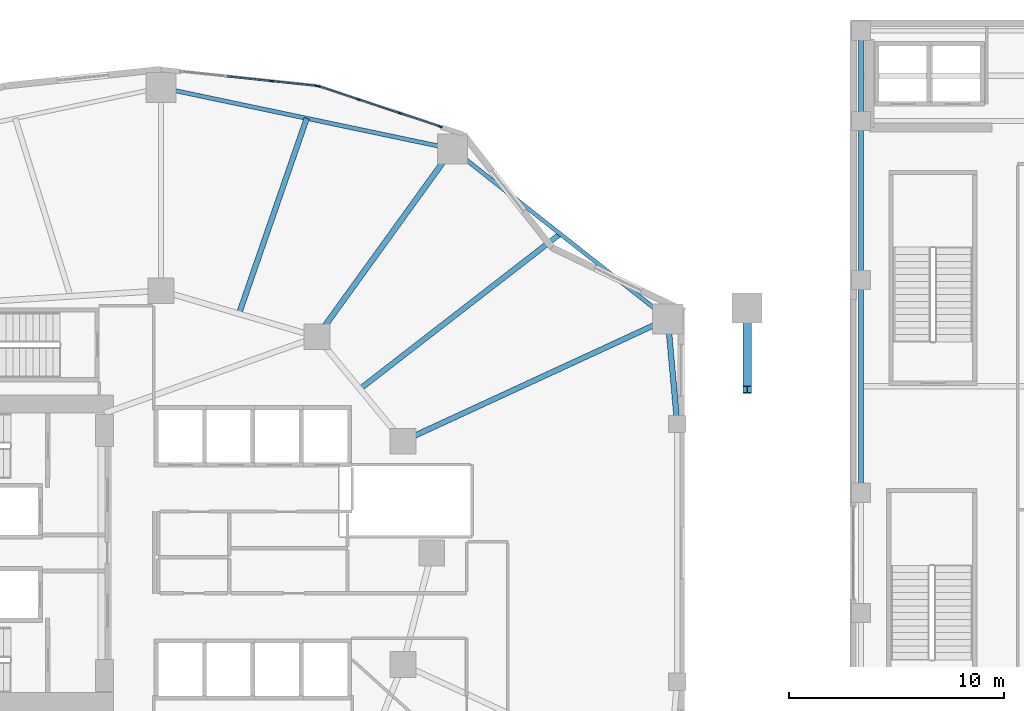
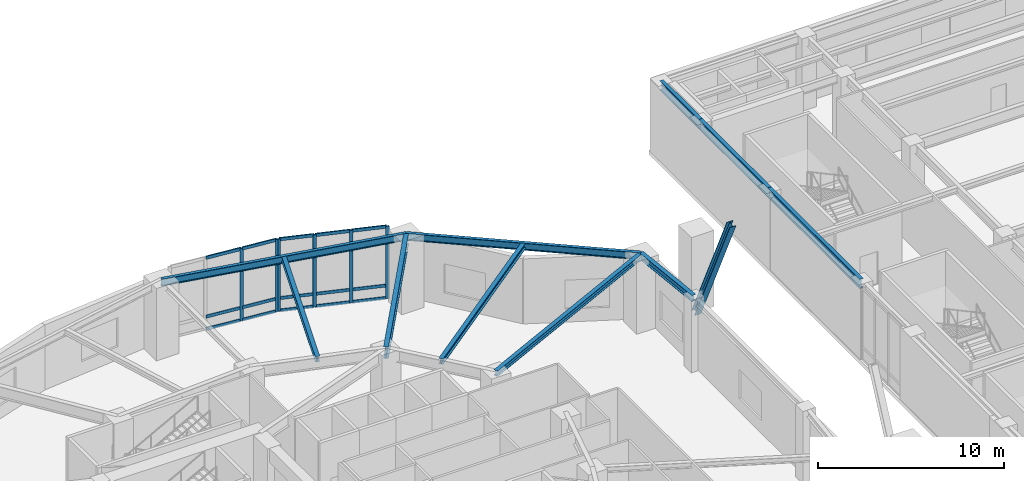
# One storey, part 6 of 21: 22 members, 10 beams, 2 elements without a shape of their own.
"""IFC4 building model written with IfcOpenShell, lengths in metres."""

import ifcopenshell
import ifcopenshell.guid

model = None  # the IFC model being written
_history = None  # IfcOwnerHistory: only IFC2X3 demands one
_inside = {}  # id of a spatial element -> (the spatial element, [elements in it])
_under = {}  # id of a project, library or spatial element -> (it, [spatial elements below it])
_declared = {}  # id of a project -> (the project, [libraries it declares])
_typed = {}  # id of a type object -> (the type object, [elements of that type])
_made_of = {}  # id of a material, layer set ... -> (it, [elements and type objects made of it])


def new_model(schema):
    """Start an empty IFC model of exactly this schema.

    Asked for "IFC4X3", IfcOpenShell would pick the latest addendum, in which some entities
    have other attributes; the version numbers below select the first issue.
    IFC2X3 requires an IfcOwnerHistory on every rooted entity: one is made here for all.
    """
    global model, _history
    if schema == "IFC4X3":
        model = ifcopenshell.file(schema_version=(4, 3, 0, 0))
    else:
        model = ifcopenshell.file(schema=schema)
    _inside.clear()
    _under.clear()
    _declared.clear()
    _typed.clear()
    _made_of.clear()
    _history = None
    if model.schema == "IFC2X3":
        org = make("IfcOrganization", Name="unknown")
        user = make(
            "IfcPersonAndOrganization",
            ThePerson=make("IfcPerson", FamilyName="unknown"),
            TheOrganization=org,
        )
        app = make(
            "IfcApplication",
            ApplicationDeveloper=org,
            Version="unknown",
            ApplicationFullName="unknown",
            ApplicationIdentifier="unknown",
        )
        _history = make(
            "IfcOwnerHistory",
            OwningUser=user,
            OwningApplication=app,
            ChangeAction="ADDED",
            CreationDate=0,
        )
    return model


def make(cls, **values):
    """One entity of the class cls with the attributes given. An attribute that is None is left unset."""
    return model.create_entity(
        cls, **{name: value for name, value in values.items() if value is not None}
    )


def rooted(cls, **values):
    """An entity with a GlobalId (a new one), such as an element, a storey or a relation."""
    return make(cls, GlobalId=ifcopenshell.guid.new(), OwnerHistory=_history, **values)


def si_unit(unit_type, name, prefix=None):
    """IfcSIUnit, for example si_unit("LENGTHUNIT", "METRE", prefix="MILLI")."""
    return make("IfcSIUnit", UnitType=unit_type, Prefix=prefix, Name=name)


def assignment(units):
    """IfcUnitAssignment: the units of a project."""
    return None if units is None else make("IfcUnitAssignment", Units=units)


def point(xyz):
    """IfcCartesianPoint."""
    return None if xyz is None else make("IfcCartesianPoint", Coordinates=xyz)


def direction(xyz):
    """IfcDirection."""
    return None if xyz is None else make("IfcDirection", DirectionRatios=xyz)


def frame(location, z_axis=None, x_axis=None):
    """IfcAxis2Placement3D, a coordinate frame: its origin and axes. An axis left out is left unset."""
    return make(
        "IfcAxis2Placement3D",
        Location=point(location),
        Axis=direction(z_axis),
        RefDirection=direction(x_axis),
    )


def frame_2d(location, x_axis=None):
    """IfcAxis2Placement2D, a coordinate frame in the plane: its origin and x axis."""
    return make(
        "IfcAxis2Placement2D", Location=point(location), RefDirection=direction(x_axis)
    )


def origin():
    """The frame at (0, 0, 0) with its axes left unset."""
    return frame((0.0, 0.0, 0.0))


def origin_2d():
    """The frame at (0, 0) in the plane with its x axis left unset."""
    return frame_2d((0.0, 0.0))


def place(relative_to, where):
    """IfcLocalPlacement: puts the frame where relative to a parent placement (None: the world)."""
    return make(
        "IfcLocalPlacement", PlacementRelTo=relative_to, RelativePlacement=where
    )


def context(
    kind, dimensions, precision=None, world=None, true_north=None, identifier=None
):
    """IfcGeometricRepresentationContext, for example the 3D "Model" context."""
    return make(
        "IfcGeometricRepresentationContext",
        ContextIdentifier=identifier,
        ContextType=kind,
        CoordinateSpaceDimension=dimensions,
        Precision=precision,
        WorldCoordinateSystem=world,
        TrueNorth=true_north,
    )


def subcontext(parent, identifier, kind, view, scale=None):
    """IfcGeometricRepresentationSubContext, for example "Body" below "Model"."""
    return make(
        "IfcGeometricRepresentationSubContext",
        ContextIdentifier=identifier,
        ContextType=kind,
        ParentContext=parent,
        TargetScale=scale,
        TargetView=view,
    )


def project(units=None, contexts=None):
    """IfcProject with its units and contexts."""
    return rooted(
        "IfcProject",
        Name="project",
        RepresentationContexts=contexts,
        UnitsInContext=assignment(units),
    )


def spatial(cls, under=None, at=None, **own):
    """A site, building, storey or space (cls), placed at a placement, below another one or the project."""
    s = rooted(cls, ObjectPlacement=at, **own)
    if under is not None:
        _under.setdefault(under.id(), (under, []))[1].append(s)
    return s


def profile(cls, at=None, kind="AREA", **sizes):
    """A parametric profile (cls). Its sizes go by their IFC names, for example OverallWidth=200.0."""
    return make(cls, ProfileType=kind, Position=at, **sizes)


def rectangle(**sizes):
    """IfcRectangleProfileDef."""
    return profile("IfcRectangleProfileDef", **sizes)


def i_section(**sizes):
    """IfcIShapeProfileDef."""
    return profile("IfcIShapeProfileDef", **sizes)


def extrude(swept, where, along, depth):
    """IfcExtrudedAreaSolid: the profile swept, set in the frame where, extruded along a direction by depth."""
    return make(
        "IfcExtrudedAreaSolid",
        SweptArea=swept,
        Position=where,
        ExtrudedDirection=direction(along),
        Depth=depth,
    )


def shape(context_of_items, identifier, shape_type, items):
    """IfcShapeRepresentation: the items that make up one representation, for example the "Body"."""
    return make(
        "IfcShapeRepresentation",
        ContextOfItems=context_of_items,
        RepresentationIdentifier=identifier,
        RepresentationType=shape_type,
        Items=items,
    )


def material(Name=None, Category=None):
    """IfcMaterial."""
    return make("IfcMaterial", Name=Name, Category=Category)


def layer(
    of_material, thickness, ventilated=None, Name=None, Category=None, Priority=None
):
    """IfcMaterialLayer: one layer of a wall or slab, of a material (None: an air gap)."""
    return make(
        "IfcMaterialLayer",
        Material=of_material,
        LayerThickness=thickness,
        IsVentilated=ventilated,
        Name=Name,
        Category=Category,
        Priority=Priority,
    )


def layer_set(layers, Name=None):
    """IfcMaterialLayerSet."""
    return make("IfcMaterialLayerSet", MaterialLayers=layers, LayerSetName=Name)


def material_profile(
    of_material, cross_section, Name=None, Category=None, Priority=None
):
    """IfcMaterialProfile: a cross section and its material."""
    return make(
        "IfcMaterialProfile",
        Name=Name,
        Material=of_material,
        Profile=cross_section,
        Priority=Priority,
        Category=Category,
    )


def profile_set(profiles, Name=None, composite=None):
    """IfcMaterialProfileSet."""
    return make(
        "IfcMaterialProfileSet",
        Name=Name,
        MaterialProfiles=profiles,
        CompositeProfile=composite,
    )


def made_of(thing, what):
    """Note that an element or type object is made of a material, layer set ...; save() writes the relation."""
    if what is not None:
        _made_of.setdefault(what.id(), (what, []))[1].append(thing)
    return thing


def type_object(cls, material=None, **own):
    """A type object (cls), such as IfcWallType, which elements share."""
    return made_of(rooted(cls, **own), material)


def element(
    cls,
    number,
    at=None,
    inside=None,
    cuts=None,
    type_object=None,
    material=None,
    context=None,
    identifier="Body",
    shape_type=None,
    held_by="IfcProductDefinitionShape",
    body=None,
    shapes=None,
    **own,
):
    """One element of the class cls, such as IfcWall. Its Tag is "e" and its number.

    at: its placement. inside: the storey or other place that contains it. cuts: it is an
    opening in that element (IfcRelVoidsElement). A single representation is given by context,
    identifier, shape_type and body (its items); several are given by shapes. held_by: the class
    of the entity that holds the representations. save() writes the other relations.
    """
    e = rooted(cls, Tag="e%d" % number, ObjectPlacement=at, **own)
    if body is not None:
        shapes = [shape(context, identifier, shape_type, body)]
    if shapes is not None:
        e.Representation = make(held_by, Representations=shapes)
    if inside is not None:
        _inside.setdefault(inside.id(), (inside, []))[1].append(e)
    if cuts is not None:
        rooted(
            "IfcRelVoidsElement", RelatingBuildingElement=cuts, RelatedOpeningElement=e
        )
    if type_object is not None:
        _typed.setdefault(type_object.id(), (type_object, []))[1].append(e)
    return made_of(e, material)


def aggregate(whole, parts):
    """IfcRelAggregates: a whole, such as a stair, and the parts it consists of."""
    return rooted("IfcRelAggregates", RelatingObject=whole, RelatedObjects=parts)


def save(model, path):
    """Write the relations noted so far, then the file.

    IfcRelAggregates (storeys below a building ...), IfcRelContainedInSpatialStructure (elements
    in a storey), IfcRelDefinesByType, IfcRelAssociatesMaterial and IfcRelDeclares: one each for
    every whole, place, type object, material and project.
    """
    for whole, parts in _under.values():
        aggregate(whole, parts)
    for where, things in _inside.values():
        rooted(
            "IfcRelContainedInSpatialStructure",
            RelatedElements=things,
            RelatingStructure=where,
        )
    for kind, things in _typed.values():
        rooted("IfcRelDefinesByType", RelatedObjects=things, RelatingType=kind)
    for what, things in _made_of.values():
        rooted("IfcRelAssociatesMaterial", RelatedObjects=things, RelatingMaterial=what)
    for by, libraries in _declared.values():
        rooted("IfcRelDeclares", RelatingContext=by, RelatedDefinitions=libraries)
    model.write(path)


model = new_model("IFC4")

# Units and contexts
model_context = context("Model", 3, precision=1e-05, world=origin(), true_north=direction((0.0, 1.0)))
body_context = subcontext(model_context, "Body", "Model", "MODEL_VIEW")
ifc_project = project(units=[si_unit("LENGTHUNIT", "METRE"), si_unit("AREAUNIT", "SQUARE_METRE"), si_unit("VOLUMEUNIT", "CUBIC_METRE"), si_unit("PLANEANGLEUNIT", "RADIAN"), si_unit("MASSUNIT", "GRAM", prefix="KILO")], contexts=[model_context])

# Site, building, storey
site_placement = place(None, origin())
site = spatial("IfcSite", under=ifc_project, at=site_placement, CompositionType="ELEMENT")
building_placement = place(site_placement, origin())
building = spatial("IfcBuilding", under=site, at=building_placement, Name="Kolvaren Gate Tower and Convention Centre", CompositionType="ELEMENT")
storey_placement = place(building_placement, frame((0.0, 0.0, 5.0)))
storey = spatial("IfcBuildingStorey", under=building, at=storey_placement, Name="L01", CompositionType="ELEMENT", Elevation=5.0)

# Curtain wall, members
ifc_material_1 = material(Name="Anodized Architectural Aluminium Alloy 6063-T6", Category="aluminium")
ifc_layer = layer(ifc_material_1, 0.179931640625)
ifc_layer_set = layer_set([ifc_layer], Name="Anodized Architectural Aluminium Alloy 6063-T6")
curtain_wall_type = type_object("IfcCurtainWallType", Name="CW-POD-GLZ", PredefinedType="NOTDEFINED", material=ifc_layer_set)
curtain_wall_1_placement = place(storey_placement, origin())
curtain_wall_1 = element("IfcCurtainWall", 1, at=curtain_wall_1_placement, inside=storey, type_object=curtain_wall_type, Name="Tower L01 Unitised Curtain Wall CW-POD-GLZ Bay 04", PredefinedType="NOTDEFINED")
ifc_material_profile_1 = material_profile(ifc_material_1, rectangle(XDim=0.074951171875, YDim=0.199951171875, at=origin_2d()), Name="CW-MEM-MUL-200")
ifc_profile_set_1 = profile_set([ifc_material_profile_1], Name="Anodized Architectural Aluminium Alloy 6063-T6")
member_type_1 = type_object("IfcMemberType", Name="CW-MEM-MUL-200", PredefinedType="MULLION", material=ifc_profile_set_1)
member_1_placement = place(storey_placement, frame((37.43994140625, 48.721435546875, 0.0), z_axis=(0.0, 0.0, 1.0), x_axis=(0.314541602786, 0.949243688479, 0.0)))
member_1 = element("IfcMember", 2, at=member_1_placement, type_object=member_type_1, Name="CW-01 mullion 1", PredefinedType="MULLION", context=body_context, shape_type="SweptSolid", body=[
    extrude(rectangle(XDim=0.074951171875, YDim=0.199951171875, at=origin_2d()), origin(), (0.0, 0.0, 1.0), 4.739990234375),
])
member_2_placement = place(storey_placement, frame((39.31884765625, 48.098876953125, 0.0), z_axis=(0.0, 0.0, 1.0), x_axis=(0.314541602786, 0.949243688479, 0.0)))
member_2 = element("IfcMember", 3, at=member_2_placement, type_object=member_type_1, Name="CW-01 mullion 2", PredefinedType="MULLION", context=body_context, shape_type="SweptSolid", body=[
    extrude(rectangle(XDim=0.074951171875, YDim=0.199951171875, at=origin_2d()), origin(), (0.0, 0.0, 1.0), 4.739990234375),
])
member_3_placement = place(storey_placement, frame((41.233642578125, 47.46435546875, 0.0), z_axis=(0.0, 0.0, 1.0), x_axis=(0.314541602786, 0.949243688479, 0.0)))
member_3 = element("IfcMember", 4, at=member_3_placement, type_object=member_type_1, Name="CW-01 mullion 3", PredefinedType="MULLION", context=body_context, shape_type="SweptSolid", body=[
    extrude(rectangle(XDim=0.074951171875, YDim=0.199951171875, at=origin_2d()), origin(), (0.0, 0.0, 1.0), 4.739990234375),
])
member_4_placement = place(storey_placement, frame((43.112548828125, 46.841796875, 0.0), z_axis=(0.0, 0.0, 1.0), x_axis=(0.314541602786, 0.949243688479, 0.0)))
member_4 = element("IfcMember", 5, at=member_4_placement, type_object=member_type_1, Name="CW-01 mullion 4", PredefinedType="MULLION", context=body_context, shape_type="SweptSolid", body=[
    extrude(rectangle(XDim=0.074951171875, YDim=0.199951171875, at=origin_2d()), origin(), (0.0, 0.0, 1.0), 4.739990234375),
])

curtain_wall_2_placement = place(storey_placement, origin())
curtain_wall_2 = element("IfcCurtainWall", 6, at=curtain_wall_2_placement, inside=storey, type_object=curtain_wall_type, Name="Tower L01 Unitised Curtain Wall CW-POD-GLZ Bay 05", PredefinedType="NOTDEFINED")
member_5_placement = place(storey_placement, frame((35.285888671875, 48.95654296875, 0.0), z_axis=(0.0, 0.0, 1.0), x_axis=(0.104748319841, 0.994498762941, 0.0)))
member_5 = element("IfcMember", 7, at=member_5_placement, type_object=member_type_1, Name="CW-01 mullion 3", PredefinedType="MULLION", context=body_context, shape_type="SweptSolid", body=[
    extrude(rectangle(XDim=0.074951171875, YDim=0.199951171875, at=origin_2d()), origin(), (0.0, 0.0, 1.0), 4.739990234375),
])
member_6_placement = place(storey_placement, frame((37.366943359375, 48.7373046875, 0.0), z_axis=(0.0, 0.0, 1.0), x_axis=(0.104748319841, 0.994498762941, 0.0)))
member_6 = element("IfcMember", 8, at=member_6_placement, type_object=member_type_1, Name="CW-01 mullion 4", PredefinedType="MULLION", context=body_context, shape_type="SweptSolid", body=[
    extrude(rectangle(XDim=0.074951171875, YDim=0.199951171875, at=origin_2d()), origin(), (0.0, 0.0, 1.0), 4.739990234375),
])

# Member
ifc_material_profile_2 = material_profile(ifc_material_1, rectangle(XDim=0.074951171875, YDim=0.199951171875, at=origin_2d()), Name="CW-MEM-TRN-200")
ifc_profile_set_2 = profile_set([ifc_material_profile_2], Name="Anodized Architectural Aluminium Alloy 6063-T6")
member_type_2 = type_object("IfcMemberType", Name="CW-MEM-TRN-200", PredefinedType="USERDEFINED", material=ifc_profile_set_2)
member_7_placement = place(storey_placement, frame((37.4755859375, 48.709716796875, 0.03759765625), z_axis=(0.949233065789, -0.314573658804, 0.0), x_axis=(0.314573658804, 0.949233065789, 0.0)))
member_7 = element("IfcMember", 9, at=member_7_placement, type_object=member_type_2, Name="CW-01 transom 1.1", ObjectType="TRANSOM", PredefinedType="USERDEFINED", context=body_context, shape_type="SweptSolid", body=[
    extrude(rectangle(XDim=0.074951171875, YDim=0.199951171875, at=origin_2d()), origin(), (0.0, 0.0, 1.0), 1.904541015625),
])

member_8_placement = place(storey_placement, frame((37.4755859375, 48.709716796875, 0.85009765625), z_axis=(0.949233065789, -0.314573658804, 0.0), x_axis=(0.314573658804, 0.949233065789, 0.0)))
member_8 = element("IfcMember", 10, at=member_8_placement, type_object=member_type_2, Name="CW-01 transom 1.2", ObjectType="TRANSOM", PredefinedType="USERDEFINED", context=body_context, shape_type="SweptSolid", body=[
    extrude(rectangle(XDim=0.074951171875, YDim=0.199951171875, at=origin_2d()), origin(), (0.0, 0.0, 1.0), 1.904541015625),
])

member_9_placement = place(storey_placement, frame((37.4755859375, 48.709716796875, 4.702392578125), z_axis=(0.949233065789, -0.314573658804, 0.0), x_axis=(0.314573658804, 0.949233065789, 0.0)))
member_9 = element("IfcMember", 11, at=member_9_placement, type_object=member_type_2, Name="CW-01 transom 1.3", ObjectType="TRANSOM", PredefinedType="USERDEFINED", context=body_context, shape_type="SweptSolid", body=[
    extrude(rectangle(XDim=0.074951171875, YDim=0.199951171875, at=origin_2d()), origin(), (0.0, 0.0, 1.0), 1.904541015625),
])

member_10_placement = place(storey_placement, frame((39.3544921875, 48.087158203125, 0.03759765625), z_axis=(0.949247481786, -0.314530154871, 0.0), x_axis=(0.314530154871, 0.949247481786, 0.0)))
member_10 = element("IfcMember", 12, at=member_10_placement, type_object=member_type_2, Name="CW-01 transom 2.1", ObjectType="TRANSOM", PredefinedType="USERDEFINED", context=body_context, shape_type="SweptSolid", body=[
    extrude(rectangle(XDim=0.074951171875, YDim=0.199951171875, at=origin_2d()), origin(), (0.0, 0.0, 1.0), 1.942138671875),
])

member_11_placement = place(storey_placement, frame((39.3544921875, 48.087158203125, 0.85009765625), z_axis=(0.949247481786, -0.314530154871, 0.0), x_axis=(0.314530154871, 0.949247481786, 0.0)))
member_11 = element("IfcMember", 13, at=member_11_placement, type_object=member_type_2, Name="CW-01 transom 2.2", ObjectType="TRANSOM", PredefinedType="USERDEFINED", context=body_context, shape_type="SweptSolid", body=[
    extrude(rectangle(XDim=0.074951171875, YDim=0.199951171875, at=origin_2d()), origin(), (0.0, 0.0, 1.0), 1.942138671875),
])

member_12_placement = place(storey_placement, frame((39.3544921875, 48.087158203125, 4.702392578125), z_axis=(0.949247481786, -0.314530154871, 0.0), x_axis=(0.314530154871, 0.949247481786, 0.0)))
member_12 = element("IfcMember", 14, at=member_12_placement, type_object=member_type_2, Name="CW-01 transom 2.3", ObjectType="TRANSOM", PredefinedType="USERDEFINED", context=body_context, shape_type="SweptSolid", body=[
    extrude(rectangle(XDim=0.074951171875, YDim=0.199951171875, at=origin_2d()), origin(), (0.0, 0.0, 1.0), 1.942138671875),
])

member_13_placement = place(storey_placement, frame((41.26904296875, 47.45263671875, 0.03759765625), z_axis=(0.949233065789, -0.314573658804, 0.0), x_axis=(0.314573658804, 0.949233065789, 0.0)))
member_13 = element("IfcMember", 15, at=member_13_placement, type_object=member_type_2, Name="CW-01 transom 3.1", ObjectType="TRANSOM", PredefinedType="USERDEFINED", context=body_context, shape_type="SweptSolid", body=[
    extrude(rectangle(XDim=0.074951171875, YDim=0.199951171875, at=origin_2d()), origin(), (0.0, 0.0, 1.0), 1.904541015625),
])

member_14_placement = place(storey_placement, frame((41.26904296875, 47.45263671875, 0.85009765625), z_axis=(0.949233065789, -0.314573658804, 0.0), x_axis=(0.314573658804, 0.949233065789, 0.0)))
member_14 = element("IfcMember", 16, at=member_14_placement, type_object=member_type_2, Name="CW-01 transom 3.2", ObjectType="TRANSOM", PredefinedType="USERDEFINED", context=body_context, shape_type="SweptSolid", body=[
    extrude(rectangle(XDim=0.074951171875, YDim=0.199951171875, at=origin_2d()), origin(), (0.0, 0.0, 1.0), 1.904541015625),
])

member_15_placement = place(storey_placement, frame((41.26904296875, 47.45263671875, 4.702392578125), z_axis=(0.949233065789, -0.314573658804, 0.0), x_axis=(0.314573658804, 0.949233065789, 0.0)))
member_15 = element("IfcMember", 17, at=member_15_placement, type_object=member_type_2, Name="CW-01 transom 3.3", ObjectType="TRANSOM", PredefinedType="USERDEFINED", context=body_context, shape_type="SweptSolid", body=[
    extrude(rectangle(XDim=0.074951171875, YDim=0.199951171875, at=origin_2d()), origin(), (0.0, 0.0, 1.0), 1.904541015625),
])

aggregate(curtain_wall_1, [member_1, member_2, member_3, member_4, member_7, member_8, member_9, member_10, member_11, member_12, member_13, member_14, member_15])

member_16_placement = place(storey_placement, frame((33.20458984375, 49.175537109375, 0.03759765625), z_axis=(0.994508706958, -0.104653866559, 0.0), x_axis=(0.104653866559, 0.994508706958, 0.0)))
member_16 = element("IfcMember", 18, at=member_16_placement, type_object=member_type_2, Name="CW-01 transom 2.1", ObjectType="TRANSOM", PredefinedType="USERDEFINED", context=body_context, shape_type="SweptSolid", body=[
    extrude(rectangle(XDim=0.074951171875, YDim=0.199951171875, at=origin_2d()), origin(), (0.0, 0.0, 1.0), 2.05517578125),
])

member_17_placement = place(storey_placement, frame((33.20458984375, 49.175537109375, 0.85009765625), z_axis=(0.994508706958, -0.104653866559, 0.0), x_axis=(0.104653866559, 0.994508706958, 0.0)))
member_17 = element("IfcMember", 19, at=member_17_placement, type_object=member_type_2, Name="CW-01 transom 2.2", ObjectType="TRANSOM", PredefinedType="USERDEFINED", context=body_context, shape_type="SweptSolid", body=[
    extrude(rectangle(XDim=0.074951171875, YDim=0.199951171875, at=origin_2d()), origin(), (0.0, 0.0, 1.0), 2.05517578125),
])

member_18_placement = place(storey_placement, frame((33.20458984375, 49.175537109375, 4.702392578125), z_axis=(0.994508706958, -0.104653866559, 0.0), x_axis=(0.104653866559, 0.994508706958, 0.0)))
member_18 = element("IfcMember", 20, at=member_18_placement, type_object=member_type_2, Name="CW-01 transom 2.3", ObjectType="TRANSOM", PredefinedType="USERDEFINED", context=body_context, shape_type="SweptSolid", body=[
    extrude(rectangle(XDim=0.074951171875, YDim=0.199951171875, at=origin_2d()), origin(), (0.0, 0.0, 1.0), 2.05517578125),
])

member_19_placement = place(storey_placement, frame((35.3232421875, 48.952392578125, 0.03759765625), z_axis=(0.9945074418, -0.104665888448, 0.0), x_axis=(0.104665888448, 0.9945074418, 0.0)))
member_19 = element("IfcMember", 21, at=member_19_placement, type_object=member_type_2, Name="CW-01 transom 3.1", ObjectType="TRANSOM", PredefinedType="USERDEFINED", context=body_context, shape_type="SweptSolid", body=[
    extrude(rectangle(XDim=0.074951171875, YDim=0.199951171875, at=origin_2d()), origin(), (0.0, 0.0, 1.0), 2.017578125),
])

member_20_placement = place(storey_placement, frame((35.3232421875, 48.952392578125, 0.85009765625), z_axis=(0.9945074418, -0.104665888448, 0.0), x_axis=(0.104665888448, 0.9945074418, 0.0)))
member_20 = element("IfcMember", 22, at=member_20_placement, type_object=member_type_2, Name="CW-01 transom 3.2", ObjectType="TRANSOM", PredefinedType="USERDEFINED", context=body_context, shape_type="SweptSolid", body=[
    extrude(rectangle(XDim=0.074951171875, YDim=0.199951171875, at=origin_2d()), origin(), (0.0, 0.0, 1.0), 2.017578125),
])

member_21_placement = place(storey_placement, frame((35.3232421875, 48.952392578125, 4.702392578125), z_axis=(0.9945074418, -0.104665888448, 0.0), x_axis=(0.104665888448, 0.9945074418, 0.0)))
member_21 = element("IfcMember", 23, at=member_21_placement, type_object=member_type_2, Name="CW-01 transom 3.3", ObjectType="TRANSOM", PredefinedType="USERDEFINED", context=body_context, shape_type="SweptSolid", body=[
    extrude(rectangle(XDim=0.074951171875, YDim=0.199951171875, at=origin_2d()), origin(), (0.0, 0.0, 1.0), 2.017578125),
])

aggregate(curtain_wall_2, [member_5, member_6, member_16, member_17, member_18, member_19, member_20, member_21])

# Beams
ifc_material_2 = material(Name="Structural steel ASTM A992 Grade 345 MPa", Category="steel")
ifc_material_profile_3 = material_profile(ifc_material_2, i_section(OverallWidth=0.260986328125, OverallDepth=0.419921875, WebThickness=0.01171875, FlangeThickness=0.019287109375, at=origin_2d()), Name="W410X114")
ifc_profile_set_3 = profile_set([ifc_material_profile_3], Name="Structural steel ASTM A992 Grade 345 MPa")
beam_type_1 = type_object("IfcBeamType", Name="STR-BM-W410X114", PredefinedType="BEAM", material=ifc_profile_set_3)
beam_1_placement = place(storey_placement, frame((54.14990234375, 33.0, 4.530029296875), z_axis=(-0.089491797753, 0.995987559227, 0.0), x_axis=(-0.995987559227, -0.089491797753, 0.0)))
element("IfcBeam", 24, at=beam_1_placement, inside=storey, type_object=beam_type_1, Name="Tower L01 Recessed Arch Edge Spandrel AE-3", PredefinedType="BEAM", context=body_context, shape_type="SweptSolid", body=[
    extrude(i_section(OverallWidth=0.260986328125, OverallDepth=0.419921875, WebThickness=0.01171875, FlangeThickness=0.019287109375, at=origin_2d()), origin(), (0.0, 0.0, 1.0), 4.913330078125),
])
ifc_material_profile_4 = material_profile(ifc_material_2, i_section(OverallWidth=0.22998046875, OverallDepth=0.616943359375, WebThickness=0.01318359375, FlangeThickness=0.022216796875, at=origin_2d()), Name="W610X140")
ifc_profile_set_4 = profile_set([ifc_material_profile_4], Name="Structural steel ASTM A992 Grade 345 MPa")
beam_type_2 = type_object("IfcBeamType", Name="STR-BM-W610X140", PredefinedType="BEAM", material=ifc_profile_set_4)
beam_2_placement = place(storey_placement, frame((62.699951171875, 29.800048828125, 4.431396484375), z_axis=(0.0, 1.0, 0.0), x_axis=(-1.0, 0.0, 0.0)))
element("IfcBeam", 25, at=beam_2_placement, inside=storey, type_object=beam_type_2, Name="Convention L01 Longitudinal Girder CG-15", PredefinedType="BEAM", context=body_context, shape_type="SweptSolid", body=[
    extrude(i_section(OverallWidth=0.22998046875, OverallDepth=0.616943359375, WebThickness=0.01318359375, FlangeThickness=0.022216796875, at=origin_2d()), origin(), (0.0, 0.0, 1.0), 9.89990234375),
])
beam_3_placement = place(storey_placement, frame((62.699951171875, 39.699951171875, 4.431396484375), z_axis=(0.0, 1.0, 0.0), x_axis=(-1.0, 0.0, 0.0)))
element("IfcBeam", 26, at=beam_3_placement, inside=storey, type_object=beam_type_2, Name="Convention L01 Longitudinal Girder CG-16", PredefinedType="BEAM", context=body_context, shape_type="SweptSolid", body=[
    extrude(i_section(OverallWidth=0.22998046875, OverallDepth=0.616943359375, WebThickness=0.01318359375, FlangeThickness=0.022216796875, at=origin_2d()), origin(), (0.0, 0.0, 1.0), 7.400146484375),
])
beam_4_placement = place(storey_placement, frame((62.699951171875, 47.10009765625, 4.431396484375), z_axis=(0.0, 1.0, 0.0), x_axis=(-1.0, 0.0, 0.0)))
element("IfcBeam", 27, at=beam_4_placement, inside=storey, type_object=beam_type_2, Name="Convention L01 Longitudinal Girder CG-17", PredefinedType="BEAM", context=body_context, shape_type="SweptSolid", body=[
    extrude(i_section(OverallWidth=0.22998046875, OverallDepth=0.616943359375, WebThickness=0.01318359375, FlangeThickness=0.022216796875, at=origin_2d()), origin(), (0.0, 0.0, 1.0), 4.199951171875),
])
ifc_material_profile_5 = material_profile(ifc_material_2, i_section(OverallWidth=0.26806640625, OverallDepth=0.758056640625, WebThickness=0.016357421875, FlangeThickness=0.025390625, at=origin_2d()), Name="W760X220")
ifc_profile_set_5 = profile_set([ifc_material_profile_5], Name="Structural steel ASTM A992 Grade 345 MPa")
beam_type_3 = type_object("IfcBeamType", Name="STR-BM-W760X220", PredefinedType="BEAM", material=ifc_profile_set_5)
beam_5_placement = place(storey_placement, frame((37.381591796875, 37.054931640625, 4.361083984375), z_axis=(0.585205244783, 0.81088520857, 0.0), x_axis=(-0.81088520857, 0.585205244783, 0.0)))
element("IfcBeam", 28, at=beam_5_placement, inside=storey, type_object=beam_type_3, Name="Tower L01 Radial Floor Girder RB-03", PredefinedType="BEAM", context=body_context, shape_type="SweptSolid", body=[
    extrude(i_section(OverallWidth=0.26806640625, OverallDepth=0.758056640625, WebThickness=0.016357421875, FlangeThickness=0.025390625, at=origin_2d()), origin(), (0.0, 0.0, 1.0), 10.780029296875),
])

# Member
ifc_material_profile_6 = material_profile(ifc_material_2, i_section(OverallWidth=0.39501953125, OverallDepth=0.3798828125, WebThickness=0.018798828125, FlangeThickness=0.0302734375, at=origin_2d()), Name="W360X237")
ifc_profile_set_6 = profile_set([ifc_material_profile_6], Name="Structural steel ASTM A992 Grade 345 MPa")
member_type_3 = type_object("IfcMemberType", Name="STR-CH-W360X237", PredefinedType="CHORD", material=ifc_profile_set_6)
member_22_placement = place(storey_placement, frame((57.39990234375, 34.60009765625, 7.288818359375), z_axis=(0.0, 0.42518123239, -0.905108236413), x_axis=(-1.0, 0.0, 0.0)))
element("IfcMember", 29, at=member_22_placement, inside=storey, type_object=member_type_3, Name="Monumental East Portal Parabolic Arch Rib AR-06", PredefinedType="CHORD", context=body_context, shape_type="SweptSolid", body=[
    extrude(i_section(OverallWidth=0.39501953125, OverallDepth=0.3798828125, WebThickness=0.018798828125, FlangeThickness=0.0302734375, at=origin_2d()), origin(), (0.0, 0.0, 1.0), 8.93701171875),
])

# Beams
ifc_material_profile_7 = material_profile(ifc_material_2, i_section(OverallWidth=0.2548828125, OverallDepth=0.35693359375, WebThickness=0.010498046875, FlangeThickness=0.018310546875, at=origin_2d()), Name="W360X101")
ifc_profile_set_7 = profile_set([ifc_material_profile_7], Name="Structural steel ASTM A992 Grade 345 MPa")
beam_type_4 = type_object("IfcBeamType", Name="STR-JS-W360X101", PredefinedType="JOIST", material=ifc_profile_set_7)
beam_6_placement = place(storey_placement, frame((41.382080078125, 32.199462890625, 4.5615234375), z_axis=(0.907842006347, 0.419312403241, 0.0), x_axis=(-0.419312403241, 0.907842006347, 0.0)))
element("IfcBeam", 30, at=beam_6_placement, inside=storey, type_object=beam_type_4, Name="Tower L01 Radial Floor Girder RB-02", PredefinedType="JOIST", context=body_context, shape_type="SweptSolid", body=[
    extrude(i_section(OverallWidth=0.2548828125, OverallDepth=0.35693359375, WebThickness=0.010498046875, FlangeThickness=0.018310546875, at=origin_2d()), origin(), (0.0, 0.0, 1.0), 13.57958984375),
])
beam_7_placement = place(storey_placement, frame((39.3818359375, 34.627197265625, 4.5615234375), z_axis=(0.790577493994, 0.612362005671, 0.0), x_axis=(-0.612362005671, 0.790577493994, 0.0)))
element("IfcBeam", 31, at=beam_7_placement, inside=storey, type_object=beam_type_4, Name="Tower L01 Secondary Composite Floor Joist J-02.1", PredefinedType="JOIST", context=body_context, shape_type="SweptSolid", body=[
    extrude(i_section(OverallWidth=0.2548828125, OverallDepth=0.35693359375, WebThickness=0.010498046875, FlangeThickness=0.018310546875, at=origin_2d()), origin(), (0.0, 0.0, 1.0), 11.786865234375),
])
beam_8_placement = place(storey_placement, frame((33.75341796875, 38.12744140625, 4.5615234375), z_axis=(0.327647050942, 0.944800195813, 0.0), x_axis=(-0.944800195813, 0.327647050942, 0.0)))
element("IfcBeam", 32, at=beam_8_placement, inside=storey, type_object=beam_type_4, Name="Tower L01 Secondary Composite Floor Joist J-03.1", PredefinedType="JOIST", context=body_context, shape_type="SweptSolid", body=[
    extrude(i_section(OverallWidth=0.2548828125, OverallDepth=0.35693359375, WebThickness=0.010498046875, FlangeThickness=0.018310546875, at=origin_2d()), origin(), (0.0, 0.0, 1.0), 9.627197265625),
])
ifc_material_profile_8 = material_profile(ifc_material_2, i_section(OverallWidth=0.194091796875, OverallDepth=0.468994140625, WebThickness=0.0126953125, FlangeThickness=0.0205078125, at=origin_2d()), Name="W460X106")
ifc_profile_set_8 = profile_set([ifc_material_profile_8], Name="Structural steel ASTM A992 Grade 345 MPa")
beam_type_5 = type_object("IfcBeamType", Name="STR-SP-W460X106", PredefinedType="SPANDREL", material=ifc_profile_set_8)
beam_9_placement = place(storey_placement, frame((53.710205078125, 37.8935546875, 4.505615234375), z_axis=(-0.785176498861, 0.619272044933, 0.0), x_axis=(-0.619272044933, -0.785176498861, 0.0)))
element("IfcBeam", 33, at=beam_9_placement, inside=storey, type_object=beam_type_5, Name="Tower L01 Perimeter Spandrel Beam SP-02", PredefinedType="SPANDREL", context=body_context, shape_type="SweptSolid", body=[
    extrude(i_section(OverallWidth=0.194091796875, OverallDepth=0.468994140625, WebThickness=0.0126953125, FlangeThickness=0.0205078125, at=origin_2d()), origin(), (0.0, 0.0, 1.0), 12.761474609375),
])
beam_10_placement = place(storey_placement, frame((43.690185546875, 45.79638671875, 4.505615234375), z_axis=(-0.978583407863, 0.205850707685, 0.0), x_axis=(-0.205850707685, -0.978583407863, 0.0)))
element("IfcBeam", 34, at=beam_10_placement, inside=storey, type_object=beam_type_5, Name="Tower L01 Perimeter Spandrel Beam SP-03", PredefinedType="SPANDREL", context=body_context, shape_type="SweptSolid", body=[
    extrude(i_section(OverallWidth=0.194091796875, OverallDepth=0.468994140625, WebThickness=0.0126953125, FlangeThickness=0.0205078125, at=origin_2d()), origin(), (0.0, 0.0, 1.0), 13.862060546875),
])

save(model, "model.ifc")
